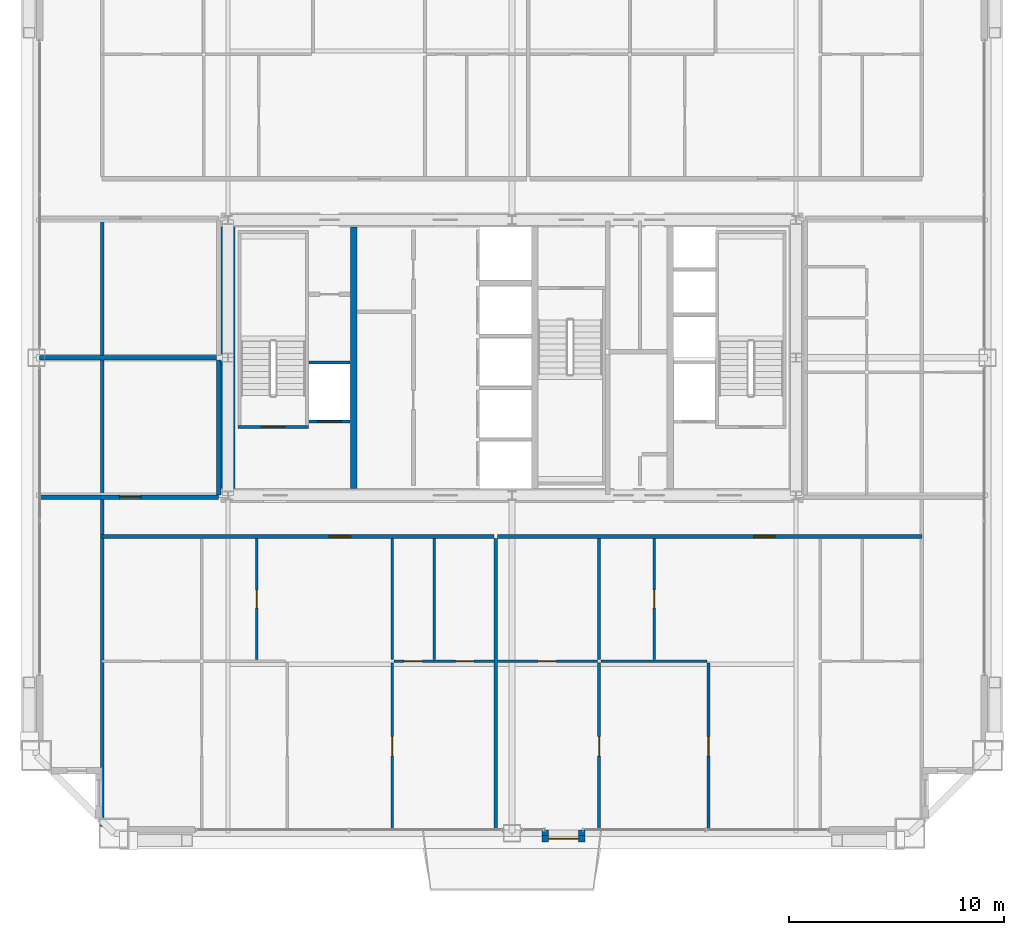
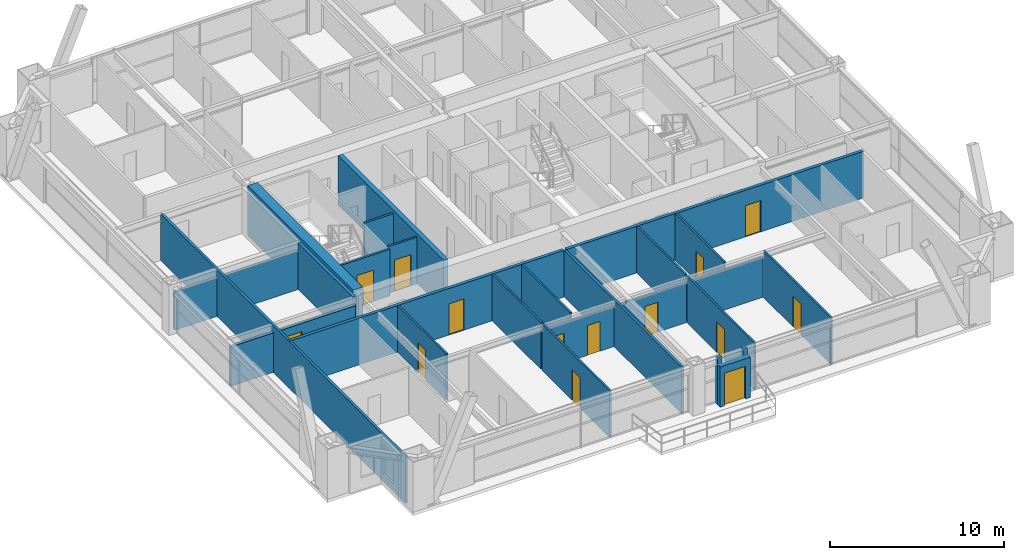
# One storey, part 40 of 45: 26 walls, 14 doors, 14 openings.
"""IFC4 building model written with IfcOpenShell, lengths in metres."""

from ifc_helpers import new_model, si_unit, direction, frame, frame_2d, origin, place, context, subcontext, project, spatial, rectangle, extrude, source, transform, mapped, material, layer, layer_set, type_object, element, fill, save


model = new_model("IFC4")

# Units and contexts
model_context = context("Model", 3, precision=1e-05, world=origin(), true_north=direction((0.0, 1.0)))
body_context = subcontext(model_context, "Body", "Model", "MODEL_VIEW")
ifc_project = project(units=[si_unit("LENGTHUNIT", "METRE"), si_unit("AREAUNIT", "SQUARE_METRE"), si_unit("VOLUMEUNIT", "CUBIC_METRE"), si_unit("PLANEANGLEUNIT", "RADIAN"), si_unit("MASSUNIT", "GRAM", prefix="KILO"), si_unit("THERMODYNAMICTEMPERATUREUNIT", "KELVIN"), si_unit("POWERUNIT", "WATT")], contexts=[model_context])

# Site, building, storey
site_placement = place(None, origin())
site = spatial("IfcSite", under=ifc_project, at=site_placement, CompositionType="ELEMENT")
building_placement = place(site_placement, origin())
building = spatial("IfcBuilding", under=site, at=building_placement, Name="Yuzanri Waterfront Tower", CompositionType="ELEMENT")
storey_placement = place(building_placement, frame((0.0, 0.0, 198.5)))
storey = spatial("IfcBuildingStorey", under=building, at=storey_placement, Name="L52", CompositionType="ELEMENT", Elevation=198.5)

# Wall, opening, door
ifc_material_1 = material(Name="Moisture-Resistant Gypsum Stud Wall", Category="gypsum")
ifc_layer_1 = layer(ifc_material_1, 0.1201171875)
ifc_layer_set_1 = layer_set([ifc_layer_1], Name="Moisture-Resistant Gypsum Stud Wall")
wall_type_1 = type_object("IfcWallType", Name="Bathroom and Kitchen Wet Partition 120", PredefinedType="PARTITIONING", material=ifc_layer_set_1)
wall_1_placement = place(storey_placement, frame((25.134033203125, 11.780029296875, 0.0), z_axis=(0.0, 0.0, 1.0), x_axis=(0.0, 1.0, 0.0)))
wall_1 = element("IfcWall", 1, at=wall_1_placement, inside=storey, type_object=wall_type_1, Name="L52 Partition UW-L52-RS1-SUB-2-E", PredefinedType="PARTITIONING", context=body_context, shape_type="SweptSolid", body=[
    extrude(rectangle(XDim=5.60986328125, YDim=0.1201171875, at=frame_2d((2.804931640625, 0.0))), origin(), (0.0, 0.0, 1.0), 3.280029296875),
])
opening_1_placement = place(wall_1_placement, frame((2.3798828125, 0.0, 0.0)))
opening_1 = element("IfcOpeningElement", 2, at=opening_1_placement, cuts=wall_1, Name="Opening ID-0850", PredefinedType="OPENING", context=body_context, shape_type="SweptSolid", body=[
    extrude(rectangle(XDim=0.85009765625, YDim=2.10009765625, at=frame_2d((0.425048828125, 1.050048828125))), frame((0.0, 0.074951171875, 0.0), z_axis=(0.0, -1.0, 0.0), x_axis=(1.0, 0.0, 0.0)), (0.0, 0.0, 1.0), 0.14990234375),
])
ifc_material_2 = material(Name="Moisture-Resistant Lacquered Timber", Category="wood")
door_type_1 = type_object("IfcDoorType", Name="En-Suite Bathroom and Kitchen Swing Door 850x2100", OperationType="NOTDEFINED", PredefinedType="DOOR", material=ifc_material_2)
shared_shape_1 = source(origin(), body_context, "Body", "SweptSolid", [
    extrude(rectangle(XDim=0.85009765625, YDim=2.10009765625, at=frame_2d((0.425048828125, 1.050048828125))), frame((0.0, 0.02490234375, 0.0), z_axis=(0.0, -1.0, 0.0), x_axis=(1.0, 0.0, 0.0)), (0.0, 0.0, 1.0), 0.050048828125),
])
door_1_placement = place(opening_1_placement, origin())
door_1 = element("IfcDoor", 3, at=door_1_placement, inside=storey, type_object=door_type_1, Name="L52 Suite Interior Room Door", OperationType="SINGLE_SWING_RIGHT", OverallHeight=2.10009765625, OverallWidth=0.85009765625, PredefinedType="DOOR", context=body_context, shape_type="MappedRepresentation", body=[
    mapped(shared_shape_1, transform((0.0, 0.0, 0.0), scale=1.0)),
])
fill(opening_1, door_1)

# Wall, openings, doors
wall_2_placement = place(storey_placement, frame((31.510986328125, 11.699951171875, 0.0), z_axis=(0.0, 0.0, 1.0), x_axis=(1.0, 0.0, 0.0)))
wall_2 = element("IfcWall", 4, at=wall_2_placement, inside=storey, type_object=wall_type_1, Name="L52 Partition UW-L52-RS1-SUB-6-N", PredefinedType="PARTITIONING", context=body_context, shape_type="SweptSolid", body=[
    extrude(rectangle(XDim=4.64697265625, YDim=0.1201171875, at=frame_2d((2.323486328125, 0.0))), origin(), (0.0, 0.0, 1.0), 2.875),
])
opening_2_placement = place(wall_2_placement, frame((2.8720703125, 0.0, 0.0)))
opening_2 = element("IfcOpeningElement", 5, at=opening_2_placement, cuts=wall_2, Name="Opening ID-0850", PredefinedType="OPENING", context=body_context, shape_type="SweptSolid", body=[
    extrude(rectangle(XDim=0.85009765625, YDim=2.10009765625, at=frame_2d((0.425048828125, 1.050048828125))), frame((0.0, 0.074951171875, 0.0), z_axis=(0.0, -1.0, 0.0), x_axis=(1.0, 0.0, 0.0)), (0.0, 0.0, 1.0), 0.14990234375),
])
opening_3_placement = place(wall_2_placement, frame((0.468505859375, 0.0, 0.0)))
opening_3 = element("IfcOpeningElement", 6, at=opening_3_placement, cuts=wall_2, Name="Opening ID-0850", PredefinedType="OPENING", context=body_context, shape_type="SweptSolid", body=[
    extrude(rectangle(XDim=0.85009765625, YDim=2.10009765625, at=frame_2d((0.425048828125, 1.050048828125))), frame((0.0, 0.074951171875, 0.0), z_axis=(0.0, -1.0, 0.0), x_axis=(1.0, 0.0, 0.0)), (0.0, 0.0, 1.0), 0.14990234375),
])
door_2_placement = place(opening_2_placement, origin())
door_2 = element("IfcDoor", 7, at=door_2_placement, inside=storey, type_object=door_type_1, Name="L52 Suite Interior Room Door", OperationType="SINGLE_SWING_LEFT", OverallHeight=2.10009765625, OverallWidth=0.85009765625, PredefinedType="DOOR", context=body_context, shape_type="MappedRepresentation", body=[
    mapped(shared_shape_1, transform((0.0, 0.0, 0.0), scale=1.0)),
])
fill(opening_2, door_2)
door_3_placement = place(opening_3_placement, origin())
door_3 = element("IfcDoor", 8, at=door_3_placement, inside=storey, type_object=door_type_1, Name="L52 Suite Interior Room Door", OperationType="SINGLE_SWING_RIGHT", OverallHeight=2.10009765625, OverallWidth=0.85009765625, PredefinedType="DOOR", context=body_context, shape_type="MappedRepresentation", body=[
    mapped(shared_shape_1, transform((0.0, 0.0, 0.0), scale=1.0)),
])
fill(opening_3, door_3)

# Wall, opening, door
wall_3_placement = place(storey_placement, frame((31.430908203125, 3.85009765625, 0.0), z_axis=(0.0, 0.0, 1.0), x_axis=(0.0, 1.0, 0.0)))
wall_3 = element("IfcWall", 9, at=wall_3_placement, inside=storey, type_object=wall_type_1, Name="L52 Partition UW-L52-RS1-SUB-6-W", PredefinedType="PARTITIONING", context=body_context, shape_type="SweptSolid", body=[
    extrude(rectangle(XDim=7.77001953125, YDim=0.1201171875, at=frame_2d((3.885009765625, 0.0))), origin(), (0.0, 0.0, 1.0), 3.280029296875),
])
opening_4_placement = place(wall_3_placement, frame((3.43505859375, 0.0, 0.0)))
opening_4 = element("IfcOpeningElement", 10, at=opening_4_placement, cuts=wall_3, Name="Opening ID-0900", PredefinedType="OPENING", context=body_context, shape_type="SweptSolid", body=[
    extrude(rectangle(XDim=0.89990234375, YDim=2.14990234375, at=frame_2d((0.449951171875, 1.074951171875))), frame((0.0, 0.074951171875, 0.0), z_axis=(0.0, -1.0, 0.0), x_axis=(1.0, 0.0, 0.0)), (0.0, 0.0, 1.0), 0.14990234375),
])
ifc_material_3 = material(Name="Stained Walnut Veneer Timber", Category="wood")
door_type_2 = type_object("IfcDoorType", Name="Bedroom and Study Interior Swing Door 900x2150", OperationType="NOTDEFINED", PredefinedType="DOOR", material=ifc_material_3)
shared_shape_2 = source(origin(), body_context, "Body", "SweptSolid", [
    extrude(rectangle(XDim=0.89990234375, YDim=2.14990234375, at=frame_2d((0.449951171875, 1.074951171875))), frame((0.0, 0.02490234375, 0.0), z_axis=(0.0, -1.0, 0.0), x_axis=(1.0, 0.0, 0.0)), (0.0, 0.0, 1.0), 0.050048828125),
])
door_4_placement = place(opening_4_placement, origin())
door_4 = element("IfcDoor", 11, at=door_4_placement, inside=storey, type_object=door_type_2, Name="L52 Suite Interior Room Door", OperationType="SINGLE_SWING_RIGHT", OverallHeight=2.14990234375, OverallWidth=0.89990234375, PredefinedType="DOOR", context=body_context, shape_type="MappedRepresentation", body=[
    mapped(shared_shape_2, transform((0.0, 0.0, 0.0), scale=1.0)),
])
fill(opening_4, door_4)

wall_4_placement = place(storey_placement, frame((36.318115234375, 11.699951171875, 0.0), z_axis=(0.0, 0.0, 1.0), x_axis=(1.0, 0.0, 0.0)))
wall_4 = element("IfcWall", 12, at=wall_4_placement, inside=storey, type_object=wall_type_1, Name="L52 Partition UW-L52-RS2-SUB-1-S", PredefinedType="PARTITIONING", context=body_context, shape_type="SweptSolid", body=[
    extrude(rectangle(XDim=4.64697265625, YDim=0.1201171875, at=frame_2d((2.323486328125, 0.0))), origin(), (0.0, 0.0, 1.0), 2.875),
])
opening_5_placement = place(wall_4_placement, frame((1.8984375, 0.0, 0.0)))
opening_5 = element("IfcOpeningElement", 13, at=opening_5_placement, cuts=wall_4, Name="Opening ID-0850", PredefinedType="OPENING", context=body_context, shape_type="SweptSolid", body=[
    extrude(rectangle(XDim=0.85009765625, YDim=2.10009765625, at=frame_2d((0.425048828125, 1.050048828125))), frame((0.0, 0.074951171875, 0.0), z_axis=(0.0, -1.0, 0.0), x_axis=(1.0, 0.0, 0.0)), (0.0, 0.0, 1.0), 0.14990234375),
])
door_5_placement = place(opening_5_placement, origin())
door_5 = element("IfcDoor", 14, at=door_5_placement, inside=storey, type_object=door_type_1, Name="L52 Suite Interior Room Door", OperationType="SINGLE_SWING_LEFT", OverallHeight=2.10009765625, OverallWidth=0.85009765625, PredefinedType="DOOR", context=body_context, shape_type="MappedRepresentation", body=[
    mapped(shared_shape_1, transform((0.0, 0.0, 0.0), scale=1.0)),
])
fill(opening_5, door_5)

wall_5_placement = place(storey_placement, frame((43.60498046875, 11.780029296875, 0.0), z_axis=(0.0, 0.0, 1.0), x_axis=(0.0, 1.0, 0.0)))
wall_5 = element("IfcWall", 15, at=wall_5_placement, inside=storey, type_object=wall_type_1, Name="L52 Partition UW-L52-RS2-SUB-2-E", PredefinedType="PARTITIONING", context=body_context, shape_type="SweptSolid", body=[
    extrude(rectangle(XDim=5.60986328125, YDim=0.1201171875, at=frame_2d((2.804931640625, 0.0))), origin(), (0.0, 0.0, 1.0), 3.280029296875),
])
opening_6_placement = place(wall_5_placement, frame((2.3798828125, 0.0, 0.0)))
opening_6 = element("IfcOpeningElement", 16, at=opening_6_placement, cuts=wall_5, Name="Opening ID-0850", PredefinedType="OPENING", context=body_context, shape_type="SweptSolid", body=[
    extrude(rectangle(XDim=0.85009765625, YDim=2.10009765625, at=frame_2d((0.425048828125, 1.050048828125))), frame((0.0, 0.074951171875, 0.0), z_axis=(0.0, -1.0, 0.0), x_axis=(1.0, 0.0, 0.0)), (0.0, 0.0, 1.0), 0.14990234375),
])
door_6_placement = place(opening_6_placement, origin())
door_6 = element("IfcDoor", 17, at=door_6_placement, inside=storey, type_object=door_type_1, Name="L52 Suite Interior Room Door", OperationType="SINGLE_SWING_RIGHT", OverallHeight=2.10009765625, OverallWidth=0.85009765625, PredefinedType="DOOR", context=body_context, shape_type="MappedRepresentation", body=[
    mapped(shared_shape_1, transform((0.0, 0.0, 0.0), scale=1.0)),
])
fill(opening_6, door_6)

wall_6_placement = place(storey_placement, frame((41.044921875, 3.85009765625, 0.0), z_axis=(0.0, 0.0, 1.0), x_axis=(0.0, 1.0, 0.0)))
wall_6 = element("IfcWall", 18, at=wall_6_placement, inside=storey, type_object=wall_type_1, Name="L52 Partition UW-L52-RS2-SUB-5-E", PredefinedType="PARTITIONING", context=body_context, shape_type="SweptSolid", body=[
    extrude(rectangle(XDim=7.77001953125, YDim=0.1201171875, at=frame_2d((3.885009765625, 0.0))), origin(), (0.0, 0.0, 1.0), 3.280029296875),
])
opening_7_placement = place(wall_6_placement, frame((3.43505859375, 0.0, 0.0)))
opening_7 = element("IfcOpeningElement", 19, at=opening_7_placement, cuts=wall_6, Name="Opening ID-0900", PredefinedType="OPENING", context=body_context, shape_type="SweptSolid", body=[
    extrude(rectangle(XDim=0.89990234375, YDim=2.14990234375, at=frame_2d((0.449951171875, 1.074951171875))), frame((0.0, 0.074951171875, 0.0), z_axis=(0.0, -1.0, 0.0), x_axis=(1.0, 0.0, 0.0)), (0.0, 0.0, 1.0), 0.14990234375),
])
door_7_placement = place(opening_7_placement, origin())
door_7 = element("IfcDoor", 20, at=door_7_placement, inside=storey, type_object=door_type_2, Name="L52 Suite Interior Room Door", OperationType="SINGLE_SWING_LEFT", OverallHeight=2.14990234375, OverallWidth=0.89990234375, PredefinedType="DOOR", context=body_context, shape_type="MappedRepresentation", body=[
    mapped(shared_shape_2, transform((0.0, 0.0, 0.0), scale=1.0)),
])
fill(opening_7, door_7)

wall_7_placement = place(storey_placement, frame((46.133056640625, 3.85009765625, 0.0), z_axis=(0.0, 0.0, 1.0), x_axis=(0.0, 1.0, 0.0)))
wall_7 = element("IfcWall", 21, at=wall_7_placement, inside=storey, type_object=wall_type_1, Name="L52 Partition UW-L52-RS2-SUB-7-E", PredefinedType="PARTITIONING", context=body_context, shape_type="SweptSolid", body=[
    extrude(rectangle(XDim=7.77001953125, YDim=0.1201171875, at=frame_2d((3.885009765625, 0.0))), origin(), (0.0, 0.0, 1.0), 3.280029296875),
])
opening_8_placement = place(wall_7_placement, frame((3.43505859375, 0.0, 0.0)))
opening_8 = element("IfcOpeningElement", 22, at=opening_8_placement, cuts=wall_7, Name="Opening ID-0900", PredefinedType="OPENING", context=body_context, shape_type="SweptSolid", body=[
    extrude(rectangle(XDim=0.89990234375, YDim=2.14990234375, at=frame_2d((0.449951171875, 1.074951171875))), frame((0.0, 0.074951171875, 0.0), z_axis=(0.0, -1.0, 0.0), x_axis=(1.0, 0.0, 0.0)), (0.0, 0.0, 1.0), 0.14990234375),
])
door_8_placement = place(opening_8_placement, origin())
door_8 = element("IfcDoor", 23, at=door_8_placement, inside=storey, type_object=door_type_2, Name="L52 Suite Interior Room Door", OperationType="SINGLE_SWING_LEFT", OverallHeight=2.14990234375, OverallWidth=0.89990234375, PredefinedType="DOOR", context=body_context, shape_type="MappedRepresentation", body=[
    mapped(shared_shape_2, transform((0.0, 0.0, 0.0), scale=1.0)),
])
fill(opening_8, door_8)

ifc_material_4 = material(Name="Honed Chongqing Dark Basalt Stone", Category="masonry")
ifc_layer_2 = layer(ifc_material_4, 0.300048828125)
ifc_layer_set_2 = layer_set([ifc_layer_2], Name="Honed Chongqing Dark Basalt Stone")
wall_type_2 = type_object("IfcWallType", Name="Bronze Rainscreen Insulated Spandrel Portal Wall 300", PredefinedType="SOLIDWALL", material=ifc_layer_set_2)
wall_8_placement = place(storey_placement, frame((38.39990234375, 3.449951171875, 0.0), z_axis=(0.0, 0.0, 1.0), x_axis=(1.0, 0.0, 0.0)))
wall_8 = element("IfcWall", 24, at=wall_8_placement, inside=storey, type_object=wall_type_2, Name="L52 S Terrace Door Portal Wall", PredefinedType="SOLIDWALL", context=body_context, shape_type="SweptSolid", body=[
    extrude(rectangle(XDim=2.0, YDim=0.300048828125, at=frame_2d((1.0, 0.0))), origin(), (0.0, 0.0, 1.0), 2.8349609375),
])
opening_9_placement = place(wall_8_placement, frame((0.300048828125, 0.0, 0.0)))
opening_9 = element("IfcOpeningElement", 25, at=opening_9_placement, cuts=wall_8, Name="Opening TD-1400", PredefinedType="OPENING", context=body_context, shape_type="SweptSolid", body=[
    extrude(rectangle(XDim=1.39990234375, YDim=2.300048828125, at=frame_2d((0.699951171875, 1.14990234375))), frame((0.0, 0.1650390625, 0.0), z_axis=(0.0, -1.0, 0.0), x_axis=(1.0, 0.0, 0.0)), (0.0, 0.0, 1.0), 0.329833984375),
])
ifc_material_5 = material(Name="Anodized Architectural Bronze", Category="metal")
door_type_3 = type_object("IfcDoorType", Name="Anodized Bronze Balcony and Terrace Glazed Double Door 1400x2300", OperationType="NOTDEFINED", PredefinedType="DOOR", material=ifc_material_5)
shared_shape_3 = source(origin(), body_context, "Body", "SweptSolid", [
    extrude(rectangle(XDim=1.39990234375, YDim=2.300048828125, at=frame_2d((0.699951171875, 1.14990234375))), frame((0.0, 0.02490234375, 0.0), z_axis=(0.0, -1.0, 0.0), x_axis=(1.0, 0.0, 0.0)), (0.0, 0.0, 1.0), 0.050048828125),
])
door_9_placement = place(opening_9_placement, origin())
door_9 = element("IfcDoor", 26, at=door_9_placement, inside=storey, type_object=door_type_3, Name="L52 S Terrace Glazed Double Door", OperationType="DOUBLE_DOOR_SINGLE_SWING", OverallHeight=2.300048828125, OverallWidth=1.39990234375, PredefinedType="DOOR", context=body_context, shape_type="MappedRepresentation", body=[
    mapped(shared_shape_3, transform((0.0, 0.0, 0.0), scale=1.0)),
])
fill(opening_9, door_9)

ifc_material_6 = material(Name="Concrete C40", Category="concrete")
ifc_layer_3 = layer(ifc_material_6, 0.139892578125)
ifc_layer_set_3 = layer_set([ifc_layer_3], Name="Concrete C40")
wall_type_3 = type_object("IfcWallType", Name="Core Stair Liner and Hoistway Shaft Wall 140", PredefinedType="SOLIDWALL", material=ifc_layer_set_3)
wall_9_placement = place(storey_placement, frame((27.56005859375, 22.830078125, 0.0), z_axis=(0.0, 0.0, 1.0), x_axis=(1.0, 0.0, 0.0)))
wall_9 = element("IfcWall", 27, at=wall_9_placement, inside=storey, type_object=wall_type_3, Name="L52 Lift FL-01 Front Shaft Wall", PredefinedType="SOLIDWALL", context=body_context, shape_type="SweptSolid", body=[
    extrude(rectangle(XDim=1.919921875, YDim=0.139892578125, at=frame_2d((0.9599609375, 0.0))), origin(), (0.0, 0.0, 1.0), 3.280029296875),
])
opening_10_placement = place(wall_9_placement, frame((0.409912109375, 0.0, 0.0)))
opening_10 = element("IfcOpeningElement", 28, at=opening_10_placement, cuts=wall_9, Name="Opening LD-FL-01", PredefinedType="OPENING", context=body_context, shape_type="SweptSolid", body=[
    extrude(rectangle(XDim=1.10009765625, YDim=2.199951171875, at=frame_2d((0.550048828125, 1.10009765625))), frame((0.0, 0.0849609375, 0.0), z_axis=(0.0, -1.0, 0.0), x_axis=(1.0, 0.0, 0.0)), (0.0, 0.0, 1.0), 0.169677734375),
])
ifc_material_7 = material(Name="Brushed Bronze and Stainless Steel Cab", Category="steel")
door_type_4 = type_object("IfcDoorType", Name="Center-Parting Bronze Lift Landing Sliding Door 1100x2200", OperationType="NOTDEFINED", PredefinedType="DOOR", material=ifc_material_7)
shared_shape_4 = source(origin(), body_context, "Body", "SweptSolid", [
    extrude(rectangle(XDim=1.10009765625, YDim=2.199951171875, at=frame_2d((0.550048828125, 1.10009765625))), frame((0.0, 0.02490234375, 0.0), z_axis=(0.0, -1.0, 0.0), x_axis=(1.0, 0.0, 0.0)), (0.0, 0.0, 1.0), 0.050048828125),
])
door_10_placement = place(opening_10_placement, origin())
door_10 = element("IfcDoor", 29, at=door_10_placement, inside=storey, type_object=door_type_4, Name="L52 FL-01 Lift Landing Sliding Door", OperationType="SLIDING_TO_LEFT", OverallHeight=2.199951171875, OverallWidth=1.10009765625, PredefinedType="DOOR", context=body_context, shape_type="MappedRepresentation", body=[
    mapped(shared_shape_4, transform((0.0, 0.0, 0.0), scale=1.0)),
])
fill(opening_10, door_10)

wall_10_placement = place(storey_placement, frame((24.260009765625, 22.570068359375, 0.0), z_axis=(0.0, 0.0, 1.0), x_axis=(1.0, 0.0, 0.0)))
wall_10 = element("IfcWall", 30, at=wall_10_placement, inside=storey, type_object=wall_type_3, Name="L52 Shaft Wall STW-L52-ST-01-S", PredefinedType="SOLIDWALL", context=body_context, shape_type="SweptSolid", body=[
    extrude(rectangle(XDim=3.280029296875, YDim=0.139892578125, at=frame_2d((1.64013671875, 0.0))), origin(), (0.0, 0.0, 1.0), 3.280029296875),
])
opening_11_placement = place(wall_10_placement, frame((1.090087890625, 0.0, 0.0)))
opening_11 = element("IfcOpeningElement", 31, at=opening_11_placement, cuts=wall_10, Name="Opening FD-1100", PredefinedType="OPENING", context=body_context, shape_type="SweptSolid", body=[
    extrude(rectangle(XDim=1.10009765625, YDim=2.199951171875, at=frame_2d((0.550048828125, 1.10009765625))), frame((0.0, 0.0849609375, 0.0), z_axis=(0.0, -1.0, 0.0), x_axis=(1.0, 0.0, 0.0)), (0.0, 0.0, 1.0), 0.169677734375),
])
ifc_material_8 = material(Name="Painted Galvanized Fire Steel", Category="steel")
door_type_5 = type_object("IfcDoorType", Name="Smoke-Proof Stair and Lobby Fire Door 1100x2200", OperationType="NOTDEFINED", PredefinedType="DOOR", material=ifc_material_8)
shared_shape_5 = source(origin(), body_context, "Body", "SweptSolid", [
    extrude(rectangle(XDim=1.10009765625, YDim=2.199951171875, at=frame_2d((0.550048828125, 1.10009765625))), frame((0.0, 0.02490234375, 0.0), z_axis=(0.0, -1.0, 0.0), x_axis=(1.0, 0.0, 0.0)), (0.0, 0.0, 1.0), 0.050048828125),
])
door_11_placement = place(opening_11_placement, origin())
door_11 = element("IfcDoor", 32, at=door_11_placement, inside=storey, type_object=door_type_5, Name="L52 Stair ST-01 Fire Door", OperationType="SINGLE_SWING_RIGHT", OverallHeight=2.199951171875, OverallWidth=1.10009765625, PredefinedType="DOOR", context=body_context, shape_type="MappedRepresentation", body=[
    mapped(shared_shape_5, transform((0.0, 0.0, 0.0), scale=1.0)),
])
fill(opening_11, door_11)

ifc_material_9 = material(Name="Autoclaved Aerated Concrete Blockwork", Category="masonry")
ifc_layer_4 = layer(ifc_material_9, 0.199951171875)
ifc_layer_set_4 = layer_set([ifc_layer_4], Name="Autoclaved Aerated Concrete Blockwork")
wall_type_4 = type_object("IfcWallType", Name="Corridor and Unit Party Fire Wall 200", PredefinedType="PARTITIONING", material=ifc_layer_set_4)
wall_11_placement = place(storey_placement, frame((17.93994140625, 17.489990234375, 0.0), z_axis=(0.0, 0.0, 1.0), x_axis=(1.0, 0.0, 0.0)))
wall_11 = element("IfcWall", 33, at=wall_11_placement, inside=storey, type_object=wall_type_4, Name="L52 Partition UW-L52-RS1-CN", PredefinedType="PARTITIONING", context=body_context, shape_type="SweptSolid", body=[
    extrude(rectangle(XDim=18.218017578125, YDim=0.199951171875, at=frame_2d((9.10888671875, 0.0))), origin(), (0.0, 0.0, 1.0), 3.280029296875),
])
opening_12_placement = place(wall_11_placement, frame((10.555908203125, 0.0, 0.0)))
opening_12 = element("IfcOpeningElement", 34, at=opening_12_placement, cuts=wall_11, Name="Opening FD-1000", PredefinedType="OPENING", context=body_context, shape_type="SweptSolid", body=[
    extrude(rectangle(XDim=1.0, YDim=2.199951171875, at=frame_2d((0.5, 1.10009765625))), frame((0.0, 0.11474609375, 0.0), z_axis=(0.0, -1.0, 0.0), x_axis=(1.0, 0.0, 0.0)), (0.0, 0.0, 1.0), 0.229736328125),
])
ifc_material_10 = material(Name="Engineered Oak Fire-Rated Timber", Category="wood")
door_type_6 = type_object("IfcDoorType", Name="Guestroom and Apartment Entrance Fire Door 1000x2200", OperationType="NOTDEFINED", PredefinedType="DOOR", material=ifc_material_10)
shared_shape_6 = source(origin(), body_context, "Body", "SweptSolid", [
    extrude(rectangle(XDim=1.0, YDim=2.199951171875, at=frame_2d((0.5, 1.10009765625))), frame((0.0, 0.02490234375, 0.0), z_axis=(0.0, -1.0, 0.0), x_axis=(1.0, 0.0, 0.0)), (0.0, 0.0, 1.0), 0.050048828125),
])
door_12_placement = place(opening_12_placement, origin())
door_12 = element("IfcDoor", 35, at=door_12_placement, inside=storey, type_object=door_type_6, Name="L52 Apartment Living and Dining Salon Entrance Door", OperationType="SINGLE_SWING_RIGHT", OverallHeight=2.199951171875, OverallWidth=1.0, PredefinedType="DOOR", context=body_context, shape_type="MappedRepresentation", body=[
    mapped(shared_shape_6, transform((0.0, 0.0, 0.0), scale=1.0)),
])
fill(opening_12, door_12)

wall_12_placement = place(storey_placement, frame((36.318115234375, 17.489990234375, 0.0), z_axis=(0.0, 0.0, 1.0), x_axis=(1.0, 0.0, 0.0)))
wall_12 = element("IfcWall", 36, at=wall_12_placement, inside=storey, type_object=wall_type_4, Name="L52 Partition UW-L52-RS2-CN", PredefinedType="PARTITIONING", context=body_context, shape_type="SweptSolid", body=[
    extrude(rectangle(XDim=19.741943359375, YDim=0.199951171875, at=frame_2d((9.87109375, 0.0))), origin(), (0.0, 0.0, 1.0), 3.280029296875),
])
opening_13_placement = place(wall_12_placement, frame((11.9150390625, 0.0, 0.0)))
opening_13 = element("IfcOpeningElement", 37, at=opening_13_placement, cuts=wall_12, Name="Opening FD-1000", PredefinedType="OPENING", context=body_context, shape_type="SweptSolid", body=[
    extrude(rectangle(XDim=1.0, YDim=2.199951171875, at=frame_2d((0.5, 1.10009765625))), frame((0.0, 0.11474609375, 0.0), z_axis=(0.0, -1.0, 0.0), x_axis=(1.0, 0.0, 0.0)), (0.0, 0.0, 1.0), 0.229736328125),
])
door_13_placement = place(opening_13_placement, origin())
door_13 = element("IfcDoor", 38, at=door_13_placement, inside=storey, type_object=door_type_6, Name="L52 Apartment Living and Dining Salon Entrance Door", OperationType="SINGLE_SWING_RIGHT", OverallHeight=2.199951171875, OverallWidth=1.0, PredefinedType="DOOR", context=body_context, shape_type="MappedRepresentation", body=[
    mapped(shared_shape_6, transform((0.0, 0.0, 0.0), scale=1.0)),
])
fill(opening_13, door_13)

wall_13_placement = place(storey_placement, frame((15.050048828125, 19.31005859375, 0.0), z_axis=(0.0, 0.0, 1.0), x_axis=(1.0, 0.0, 0.0)))
wall_13 = element("IfcWall", 39, at=wall_13_placement, inside=storey, type_object=wall_type_4, Name="L52 Partition UW-L52-050-CS", PredefinedType="PARTITIONING", context=body_context, shape_type="SweptSolid", body=[
    extrude(rectangle(XDim=8.300048828125, YDim=0.199951171875, at=frame_2d((4.14990234375, 0.0))), origin(), (0.0, 0.0, 1.0), 2.77490234375),
])
opening_14_placement = place(wall_13_placement, frame((3.715087890625, 0.0, 0.0)))
opening_14 = element("IfcOpeningElement", 40, at=opening_14_placement, cuts=wall_13, Name="Opening FD-1000", PredefinedType="OPENING", context=body_context, shape_type="SweptSolid", body=[
    extrude(rectangle(XDim=1.0, YDim=2.199951171875, at=frame_2d((0.5, 1.10009765625))), frame((0.0, 0.11474609375, 0.0), z_axis=(0.0, -1.0, 0.0), x_axis=(1.0, 0.0, 0.0)), (0.0, 0.0, 1.0), 0.229736328125),
])
door_14_placement = place(opening_14_placement, origin())
door_14 = element("IfcDoor", 41, at=door_14_placement, inside=storey, type_object=door_type_6, Name="L52 Residents W Sky Club Room Entrance Door", OperationType="SINGLE_SWING_RIGHT", OverallHeight=2.199951171875, OverallWidth=1.0, PredefinedType="DOOR", context=body_context, shape_type="MappedRepresentation", body=[
    mapped(shared_shape_6, transform((0.0, 0.0, 0.0), scale=1.0)),
])
fill(opening_14, door_14)

# Walls
ifc_material_11 = material(Name="Concrete C50", Category="concrete")
ifc_layer_5 = layer(ifc_material_11, 0.64990234375)
ifc_layer_set_5 = layer_set([ifc_layer_5], Name="Concrete C50")
wall_type_5 = type_object("IfcWallType", Name="Concrete C50 Mid Zone Core Shear Wall 650", PredefinedType="SHEAR", material=ifc_layer_set_5)
shared_shape_7 = source(origin(), body_context, "Body", "SweptSolid", [
    extrude(rectangle(XDim=12.14990234375, YDim=0.64990234375, at=frame_2d((6.074951171875, 0.0))), origin(), (0.0, 0.0, 1.0), 3.5),
])
wall_14_placement = place(storey_placement, frame((23.800048828125, 19.72509765625, 0.0), z_axis=(0.0, 0.0, 1.0), x_axis=(0.0, 1.0, 0.0)))
element("IfcWall", 42, at=wall_14_placement, inside=storey, type_object=wall_type_5, Name="L52 Core West Shear Wall", PredefinedType="SHEAR", context=body_context, shape_type="MappedRepresentation", body=[
    mapped(shared_shape_7, transform((0.0, 0.0, 0.0), scale=1.0)),
])
ifc_material_12 = material(Name="Concrete C50", Category="concrete")
ifc_layer_6 = layer(ifc_material_12, 0.300048828125)
ifc_layer_set_6 = layer_set([ifc_layer_6], Name="Concrete C50")
wall_type_6 = type_object("IfcWallType", Name="Concrete C50 Internal Core Shaft Structural Wall 300", PredefinedType="SOLIDWALL", material=ifc_layer_set_6)
shared_shape_8 = source(origin(), body_context, "Body", "SweptSolid", [
    extrude(rectangle(XDim=12.14990234375, YDim=0.300048828125, at=frame_2d((6.074951171875, 0.0))), origin(), (0.0, 0.0, 1.0), 3.5),
])
wall_15_placement = place(storey_placement, frame((29.64990234375, 19.72509765625, 0.0), z_axis=(0.0, 0.0, 1.0), x_axis=(0.0, 1.0, 0.0)))
element("IfcWall", 43, at=wall_15_placement, inside=storey, type_object=wall_type_6, Name="L52 Core Internal Structural Web Wall 1", PredefinedType="SOLIDWALL", context=body_context, shape_type="MappedRepresentation", body=[
    mapped(shared_shape_8, transform((0.0, 0.0, 0.0), scale=1.0)),
])
shared_shape_9 = source(origin(), body_context, "Body", "SweptSolid", [
    extrude(rectangle(XDim=0.25, YDim=0.300048828125, at=frame_2d((0.125, 0.0))), origin(), (0.0, 0.0, 1.0), 3.280029296875),
])
for number, where, z_axis, x_axis, name in (
    (44, (38.550048828125, 3.85009765625, 0.0), (0.0, 0.0, 1.0), (0.0, -1.0, 0.0), "L52 S Terrace Portal Left Return"),
    (45, (40.25, 3.60009765625, 0.0), (0.0, 0.0, 1.0), (0.0, 1.0, 0.0), "L52 S Terrace Portal Right Return"),
):
    element("IfcWall", number, at=place(storey_placement, frame(where, z_axis=z_axis, x_axis=x_axis)), inside=storey, type_object=wall_type_2, Name=name, PredefinedType="SOLIDWALL", context=body_context, shape_type="MappedRepresentation", body=[
        mapped(shared_shape_9, transform((0.0, 0.0, 0.0), scale=1.0)),
    ])
shared_shape_10 = source(origin(), body_context, "Body", "SweptSolid", [
    extrude(rectangle(XDim=1.919921875, YDim=0.139892578125, at=frame_2d((0.9599609375, 0.0))), origin(), (0.0, 0.0, 1.0), 3.280029296875),
])
wall_16_placement = place(storey_placement, frame((27.56005859375, 25.570068359375, 0.0), z_axis=(0.0, 0.0, 1.0), x_axis=(1.0, 0.0, 0.0)))
element("IfcWall", 46, at=wall_16_placement, inside=storey, type_object=wall_type_3, Name="L52 Lift FL-01 Back Shaft Wall", PredefinedType="SOLIDWALL", context=body_context, shape_type="MappedRepresentation", body=[
    mapped(shared_shape_10, transform((0.0, 0.0, 0.0), scale=1.0)),
])
ifc_material_13 = material(Name="Gypsum Fireboard Acoustic Stud Wall", Category="gypsum")
ifc_layer_7 = layer(ifc_material_13, 0.159912109375)
ifc_layer_set_7 = layer_set([ifc_layer_7], Name="Gypsum Fireboard Acoustic Stud Wall")
wall_type_7 = type_object("IfcWallType", Name="Acoustic Suite Demising Partition 160", PredefinedType="PARTITIONING", material=ifc_layer_set_7)
shared_shape_11 = source(origin(), body_context, "Body", "SweptSolid", [
    extrude(rectangle(XDim=13.539794921875, YDim=0.159912109375, at=frame_2d((6.77001953125, 0.0))), origin(), (0.0, 0.0, 1.0), 3.280029296875),
])
wall_17_placement = place(storey_placement, frame((36.238037109375, 3.85009765625, 0.0), z_axis=(0.0, 0.0, 1.0), x_axis=(0.0, 1.0, 0.0)))
element("IfcWall", 47, at=wall_17_placement, inside=storey, type_object=wall_type_7, Name="L52-RS1 Party Wall", PredefinedType="PARTITIONING", context=body_context, shape_type="MappedRepresentation", body=[
    mapped(shared_shape_11, transform((0.0, 0.0, 0.0), scale=1.0)),
])
shared_shape_12 = source(origin(), body_context, "Body", "SweptSolid", [
    extrude(rectangle(XDim=5.60986328125, YDim=0.1201171875, at=frame_2d((2.804931640625, 0.0))), origin(), (0.0, 0.0, 1.0), 3.280029296875),
])
for number, where, z_axis, x_axis, name in (
    (48, (33.3779296875, 11.780029296875, 0.0), (0.0, 0.0, 1.0), (0.0, 1.0, 0.0), "L52 Partition UW-L52-RS1-SUB-3-W"),
    (49, (31.430908203125, 11.780029296875, 0.0), (0.0, 0.0, 1.0), (0.0, 1.0, 0.0), "L52 Partition UW-L52-RS1-SUB-4-W"),
    (50, (41.044921875, 11.780029296875, 0.0), (0.0, 0.0, 1.0), (0.0, 1.0, 0.0), "L52 Partition UW-L52-RS2-SUB-1-E"),
):
    element("IfcWall", number, at=place(storey_placement, frame(where, z_axis=z_axis, x_axis=x_axis)), inside=storey, type_object=wall_type_1, Name=name, PredefinedType="PARTITIONING", context=body_context, shape_type="MappedRepresentation", body=[
        mapped(shared_shape_12, transform((0.0, 0.0, 0.0), scale=1.0)),
    ])
shared_shape_13 = source(origin(), body_context, "Body", "SweptSolid", [
    extrude(rectangle(XDim=4.927978515625, YDim=0.1201171875, at=frame_2d((2.4638671875, 0.0))), origin(), (0.0, 0.0, 1.0), 2.875),
])
wall_18_placement = place(storey_placement, frame((41.125, 11.699951171875, 0.0), z_axis=(0.0, 0.0, 1.0), x_axis=(1.0, 0.0, 0.0)))
element("IfcWall", 51, at=wall_18_placement, inside=storey, type_object=wall_type_1, Name="L52 Partition UW-L52-RS2-SUB-7-N", PredefinedType="PARTITIONING", context=body_context, shape_type="MappedRepresentation", body=[
    mapped(shared_shape_13, transform((0.0, 0.0, 0.0), scale=1.0)),
])
shared_shape_14 = source(origin(), body_context, "Body", "SweptSolid", [
    extrude(rectangle(XDim=8.21484375, YDim=0.199951171875, at=frame_2d((4.107421875, 0.0))), origin(), (0.0, 0.0, 1.0), 2.68701171875),
])
wall_19_placement = place(storey_placement, frame((15.050048828125, 25.800048828125, 0.0), z_axis=(0.0, 0.0, 1.0), x_axis=(1.0, 0.0, 0.0)))
element("IfcWall", 52, at=wall_19_placement, inside=storey, type_object=wall_type_4, Name="L52-050 Wing North Wall", PredefinedType="PARTITIONING", context=body_context, shape_type="MappedRepresentation", body=[
    mapped(shared_shape_14, transform((0.0, 0.0, 0.0), scale=1.0)),
])
shared_shape_15 = source(origin(), body_context, "Body", "SweptSolid", [
    extrude(rectangle(XDim=6.2900390625, YDim=0.199951171875, at=frame_2d((3.14501953125, 0.0))), origin(), (0.0, 0.0, 1.0), 3.280029296875),
])
wall_20_placement = place(storey_placement, frame((23.3701171875, 19.409912109375, 0.0), z_axis=(0.0, 0.0, 1.0), x_axis=(0.0, 1.0, 0.0)))
element("IfcWall", 53, at=wall_20_placement, inside=storey, type_object=wall_type_4, Name="L52-050 Wing Inner Core-Side Wall", PredefinedType="PARTITIONING", context=body_context, shape_type="MappedRepresentation", body=[
    mapped(shared_shape_15, transform((0.0, 0.0, 0.0), scale=1.0)),
])
shared_shape_16 = source(origin(), body_context, "Body", "SweptSolid", [
    extrude(rectangle(XDim=28.18994140625, YDim=0.159912109375, at=frame_2d((14.094970703125, 0.0))), origin(), (0.0, 0.0, 1.0), 3.280029296875),
])
wall_21_placement = place(storey_placement, frame((17.949951171875, 4.0, 0.0), z_axis=(0.0, 0.0, 1.0), x_axis=(0.0, 1.0, 0.0)))
element("IfcWall", 54, at=wall_21_placement, inside=storey, type_object=wall_type_7, Name="L52 South Band West End Wall", PredefinedType="PARTITIONING", context=body_context, shape_type="MappedRepresentation", body=[
    mapped(shared_shape_16, transform((0.0, 0.0, 0.0), scale=1.0)),
])

save(model, "model.ifc")
